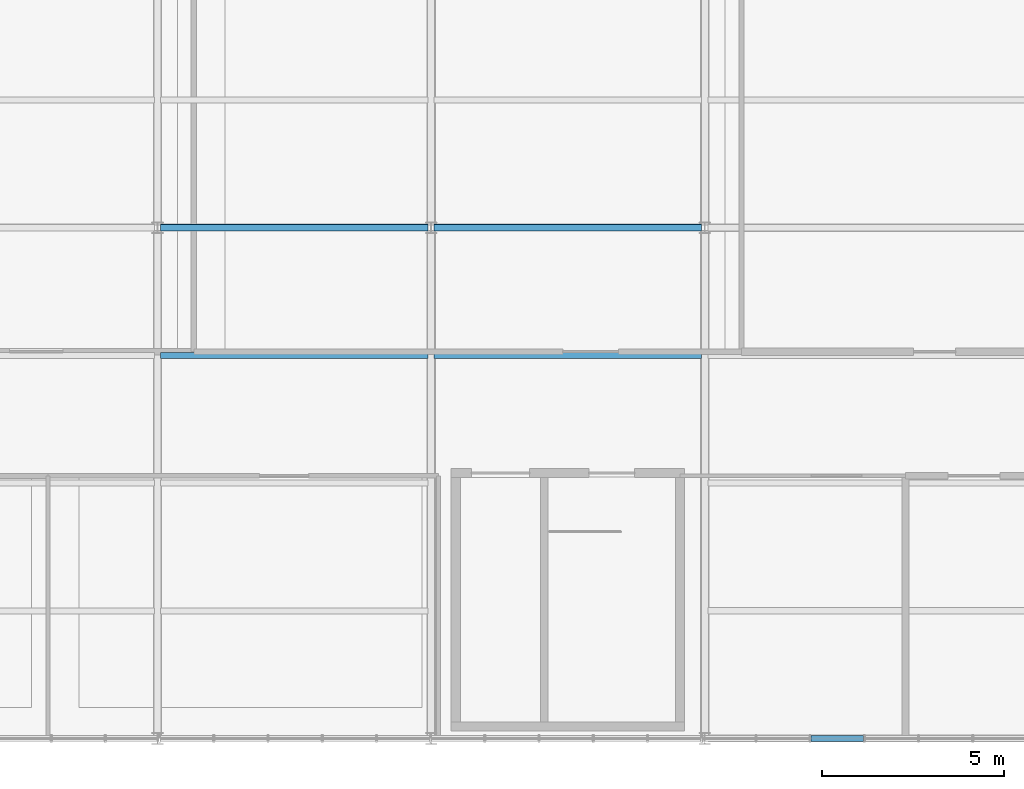
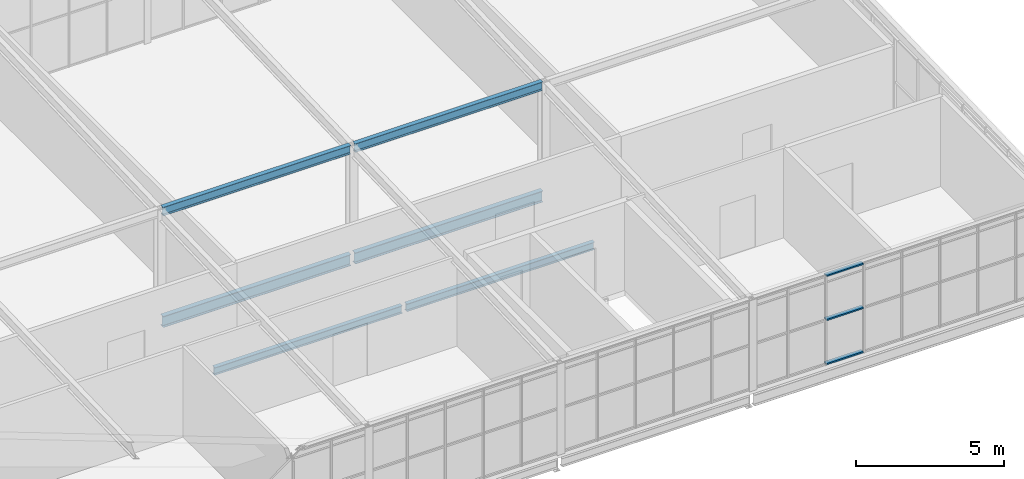
# One storey, part 15 of 27: 6 beams, 3 members, 1 element without a shape of its own.
"""IFC4 building model written with IfcOpenShell, lengths in metres."""

from ifc_helpers import new_model, si_unit, direction, frame, origin, origin_2d, place, context, subcontext, project, spatial, hollow_rectangle, i_section, extrude, material, layer, layer_set, material_profile, profile_set, type_object, element, aggregate, save


model = new_model("IFC4")

# Units and contexts
model_context = context("Model", 3, precision=1e-05, world=origin(), true_north=direction((0.0, 1.0)))
body_context = subcontext(model_context, "Body", "Model", "MODEL_VIEW")
ifc_project = project(units=[si_unit("LENGTHUNIT", "METRE"), si_unit("AREAUNIT", "SQUARE_METRE"), si_unit("VOLUMEUNIT", "CUBIC_METRE"), si_unit("PLANEANGLEUNIT", "RADIAN"), si_unit("MASSUNIT", "GRAM", prefix="KILO")], contexts=[model_context])

# Site, building, storey
site_placement = place(None, origin())
site = spatial("IfcSite", under=ifc_project, at=site_placement, CompositionType="ELEMENT")
building_placement = place(site_placement, origin())
building = spatial("IfcBuilding", under=site, at=building_placement, Name="Solvenia Promenade Tram Depot", CompositionType="ELEMENT")
storey_placement = place(building_placement, frame((0.0, 0.0, 13.5)))
storey = spatial("IfcBuildingStorey", under=building, at=storey_placement, Name="L03", CompositionType="ELEMENT", Elevation=13.5)

# Beams
ifc_material_1 = material(Name="Structural steel ASTM A992 Gr. 50", Category="steel")
ifc_material_profile_1 = material_profile(ifc_material_1, i_section(OverallWidth=0.19091796875, OverallDepth=0.4599609375, WebThickness=0.010009765625, FlangeThickness=0.01611328125, FilletRadius=0.012939453125, at=origin_2d()), Name="W460x82", Category="steel")
ifc_profile_set_1 = profile_set([ifc_material_profile_1], Name="Structural steel ASTM A992 Gr. 50")
beam_type_1 = type_object("IfcBeamType", Name="Beam-W460x82", PredefinedType="BEAM", material=ifc_profile_set_1)
for number, where, z_axis, x_axis, name in (
    (1, (135.0849609375, 52.0, -0.469970703125), (1.0, 0.0, 0.0), (0.0, 1.0, 0.0), "Primary Girder BM-L03-0602"),
    (2, (142.5849609375, 52.0, -0.469970703125), (1.0, 0.0, 0.0), (0.0, 1.0, 0.0), "Primary Girder BM-L03-0603"),
):
    element("IfcBeam", number, at=place(storey_placement, frame(where, z_axis=z_axis, x_axis=x_axis)), inside=storey, type_object=beam_type_1, Name=name, PredefinedType="BEAM", context=body_context, shape_type="SweptSolid", body=[
        extrude(i_section(OverallWidth=0.19091796875, OverallDepth=0.4599609375, WebThickness=0.010009765625, FlangeThickness=0.01611328125, FilletRadius=0.012939453125, at=origin_2d()), origin(), (0.0, 0.0, 1.0), 7.330078125),
    ])

# Curtain wall, members
ifc_material_2 = material(Name="Anodized aluminium AW-6063 T6", Category="aluminium")
ifc_layer = layer(ifc_material_2, 0.199951171875, Name="Anodized aluminium AW-6063 T6", Category="aluminium")
ifc_layer_set = layer_set([ifc_layer], Name="Anodized aluminium AW-6063 T6")
curtain_wall_type = type_object("IfcCurtainWallType", Name="CW-OCC-1500", PredefinedType="NOTDEFINED", material=ifc_layer_set)
curtain_wall_placement = place(storey_placement, origin())
curtain_wall = element("IfcCurtainWall", 3, at=curtain_wall_placement, inside=storey, type_object=curtain_wall_type, Name="Curtain Wall CW-L03-V2S", PredefinedType="NOTDEFINED")
ifc_material_profile_2 = material_profile(ifc_material_2, hollow_rectangle(XDim=0.159912109375, YDim=0.05810546875, WallThickness=0.00390625, at=origin_2d()), Name="ALU-T3", Category="aluminium")
ifc_profile_set_2 = profile_set([ifc_material_profile_2], Name="Anodized aluminium AW-6063 T6")
member_type = type_object("IfcMemberType", Name="CWT-Transom-3", PredefinedType="USERDEFINED", material=ifc_profile_set_2)
member_1_placement = place(storey_placement, frame((152.90966796875, 38.0, 0.029052734375), z_axis=(1.0, 0.0, 0.0), x_axis=(0.0, 1.0, 0.0)))
member_1 = element("IfcMember", 4, at=member_1_placement, type_object=member_type, Name="CW-8 transom 23.1", ObjectType="TRANSOM", PredefinedType="USERDEFINED", context=body_context, shape_type="SweptSolid", body=[
    extrude(hollow_rectangle(XDim=0.159912109375, YDim=0.05810546875, WallThickness=0.00390625, at=origin_2d()), origin(), (0.0, 0.0, 1.0), 1.437744140625),
])
member_2_placement = place(storey_placement, frame((152.90966796875, 38.0, 1.85009765625), z_axis=(1.0, 0.0, 0.0), x_axis=(0.0, 1.0, 0.0)))
member_2 = element("IfcMember", 5, at=member_2_placement, type_object=member_type, Name="CW-8 transom 23.2", ObjectType="TRANSOM", PredefinedType="USERDEFINED", context=body_context, shape_type="SweptSolid", body=[
    extrude(hollow_rectangle(XDim=0.159912109375, YDim=0.05810546875, WallThickness=0.00390625, at=origin_2d()), origin(), (0.0, 0.0, 1.0), 1.437744140625),
])
member_3_placement = place(storey_placement, frame((152.90966796875, 38.0, 3.6708984375), z_axis=(1.0, 0.0, 0.0), x_axis=(0.0, 1.0, 0.0)))
member_3 = element("IfcMember", 6, at=member_3_placement, type_object=member_type, Name="CW-8 transom 23.3", ObjectType="TRANSOM", PredefinedType="USERDEFINED", context=body_context, shape_type="SweptSolid", body=[
    extrude(hollow_rectangle(XDim=0.159912109375, YDim=0.05810546875, WallThickness=0.00390625, at=origin_2d()), origin(), (0.0, 0.0, 1.0), 1.437744140625),
])
aggregate(curtain_wall, [member_1, member_2, member_3])

# Beams
ifc_material_profile_3 = material_profile(ifc_material_1, i_section(OverallWidth=0.166015625, OverallDepth=0.31298828125, WebThickness=0.006591796875, FlangeThickness=0.01123046875, FilletRadius=0.010009765625, at=origin_2d()), Name="W310x45", Category="steel")
ifc_profile_set_3 = profile_set([ifc_material_profile_3], Name="Structural steel ASTM A992 Gr. 50")
beam_type_2 = type_object("IfcBeamType", Name="Joist-W310x45", PredefinedType="JOIST", material=ifc_profile_set_3)
for number, where, z_axis, x_axis, name in (
    (7, (135.0849609375, 48.5, -0.396484375), (1.0, 0.0, 0.0), (0.0, 1.0, 0.0), "Secondary Floor Joist BM-L03-0636"),
    (8, (142.5849609375, 48.5, -0.396484375), (1.0, 0.0, 0.0), (0.0, 1.0, 0.0), "Secondary Floor Joist BM-L03-0640"),
):
    element("IfcBeam", number, at=place(storey_placement, frame(where, z_axis=z_axis, x_axis=x_axis)), inside=storey, type_object=beam_type_2, Name=name, PredefinedType="JOIST", context=body_context, shape_type="SweptSolid", body=[
        extrude(i_section(OverallWidth=0.166015625, OverallDepth=0.31298828125, WebThickness=0.006591796875, FlangeThickness=0.01123046875, FilletRadius=0.010009765625, at=origin_2d()), origin(), (0.0, 0.0, 1.0), 7.330078125),
    ])
ifc_material_profile_4 = material_profile(ifc_material_1, i_section(OverallWidth=0.172119140625, OverallDepth=0.35791015625, WebThickness=0.0078125, FlangeThickness=0.01318359375, FilletRadius=0.010986328125, at=origin_2d()), Name="W360x57", Category="steel")
ifc_profile_set_4 = profile_set([ifc_material_profile_4], Name="Structural steel ASTM A992 Gr. 50")
beam_type_3 = type_object("IfcBeamType", Name="Spandrel-W360x57", PredefinedType="SPANDREL", material=ifc_profile_set_4)
for number, where, z_axis, x_axis, name in (
    (9, (135.0849609375, 52.0, 4.0810546875), (1.0, 0.0, 0.0), (0.0, 1.0, 0.0), "Control Hub Roof Girder BM-L03-0898"),
    (10, (142.5849609375, 52.0, 4.0810546875), (1.0, 0.0, 0.0), (0.0, 1.0, 0.0), "Control Hub Roof Girder BM-L03-0901"),
):
    element("IfcBeam", number, at=place(storey_placement, frame(where, z_axis=z_axis, x_axis=x_axis)), inside=storey, type_object=beam_type_3, Name=name, PredefinedType="SPANDREL", context=body_context, shape_type="SweptSolid", body=[
        extrude(i_section(OverallWidth=0.172119140625, OverallDepth=0.35791015625, WebThickness=0.0078125, FlangeThickness=0.01318359375, FilletRadius=0.010986328125, at=origin_2d()), origin(), (0.0, 0.0, 1.0), 7.330078125),
    ])

save(model, "model.ifc")
